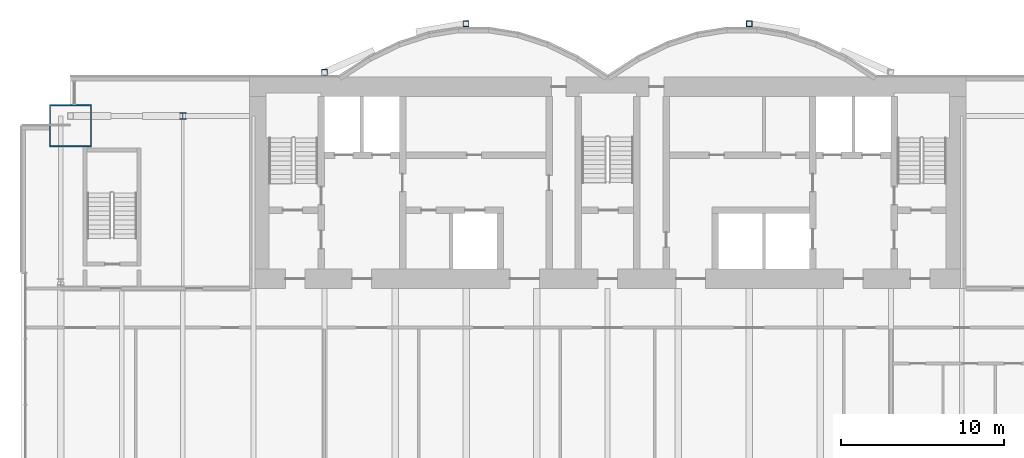
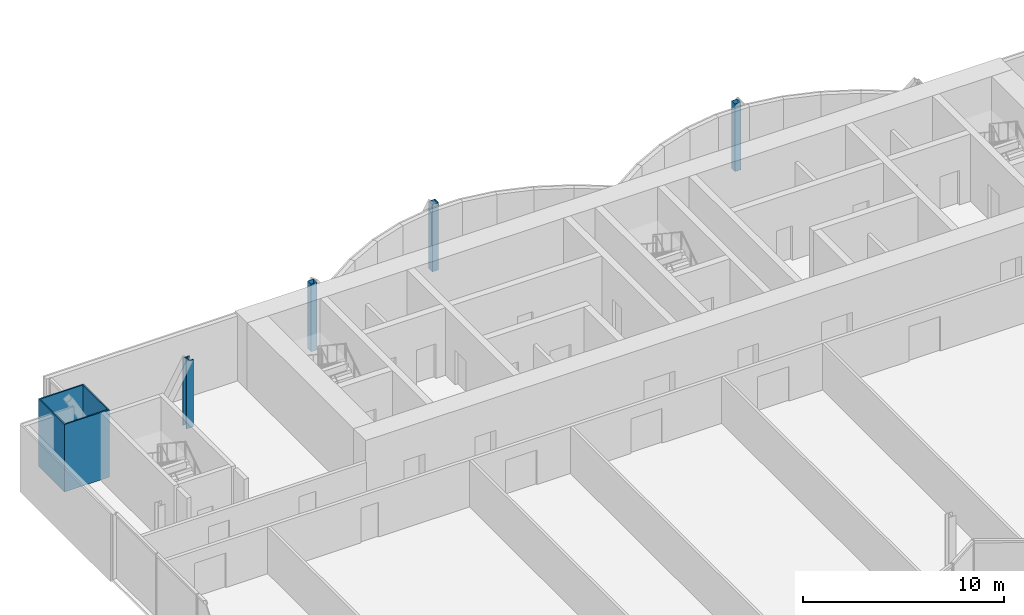
# One storey, part 3 of 22: 5 columns.
"""IFC4 building model written with IfcOpenShell, lengths in metres."""

from ifc_helpers import new_model, si_unit, direction, frame, origin, origin_2d, place, context, subcontext, project, spatial, hollow_rectangle, i_section, extrude, material, material_profile, profile_set, type_object, element, save


model = new_model("IFC4")

# Units and contexts
model_context = context("Model", 3, precision=1e-05, world=origin(), true_north=direction((0.0, 1.0)))
body_context = subcontext(model_context, "Body", "Model", "MODEL_VIEW")
ifc_project = project(units=[si_unit("LENGTHUNIT", "METRE"), si_unit("AREAUNIT", "SQUARE_METRE"), si_unit("VOLUMEUNIT", "CUBIC_METRE"), si_unit("PLANEANGLEUNIT", "RADIAN"), si_unit("MASSUNIT", "GRAM", prefix="KILO")], contexts=[model_context])

# Site, building, storey
site_placement = place(None, origin())
site = spatial("IfcSite", under=ifc_project, at=site_placement, CompositionType="ELEMENT")
building_placement = place(site_placement, origin())
building = spatial("IfcBuilding", under=site, at=building_placement, Name="Bicima Exchange Tower", CompositionType="ELEMENT")
storey_placement = place(building_placement, frame((0.0, 0.0, 148.60009765625)))
storey = spatial("IfcBuildingStorey", under=building, at=storey_placement, Name="L32", CompositionType="ELEMENT", Elevation=148.60009765625)

# Columns
ifc_material_1 = material(Name="Steel ASTM A572 Gr 50", Category="steel")
ifc_material_profile_1 = material_profile(ifc_material_1, hollow_rectangle(XDim=2.60009765625, YDim=2.60009765625, WallThickness=0.080078125, at=origin_2d()))
ifc_profile_set_1 = profile_set([ifc_material_profile_1], Name="Steel ASTM A572 Gr 50")
column_type_1 = type_object("IfcColumnType", Name="Mega column BOX 2600x2600x80", PredefinedType="COLUMN", material=ifc_profile_set_1)
column_1_placement = place(storey_placement, frame((-33.0, -3.0, 0.0), z_axis=(0.0, 0.0, 1.0), x_axis=(1.0, 0.0, 0.0)))
element("IfcColumn", 1, at=column_1_placement, inside=storey, type_object=column_type_1, Name="Mega column mega-33.0r", PredefinedType="COLUMN", context=body_context, shape_type="SweptSolid", body=[
    extrude(hollow_rectangle(XDim=2.60009765625, YDim=2.60009765625, WallThickness=0.080078125, at=origin_2d()), origin(), (0.0, 0.0, 1.0), 4.099853515625),
])
ifc_material_2 = material(Name="Steel ASTM A992 Gr 50", Category="steel")
ifc_material_profile_2 = material_profile(ifc_material_2, i_section(OverallWidth=0.396240234375, OverallDepth=0.381103515625, WebThickness=0.01904296875, FlangeThickness=0.0302734375, at=origin_2d()))
ifc_profile_set_2 = profile_set([ifc_material_profile_2], Name="Steel ASTM A992 Gr 50")
column_type_2 = type_object("IfcColumnType", Name="Perimeter column W14x159", PredefinedType="COLUMN", material=ifc_profile_set_2)
column_2_placement = place(storey_placement, frame((-26.10009765625, -2.39990234375, 0.0), z_axis=(0.0, 0.0, 1.0), x_axis=(1.0, 0.0, 0.0)))
element("IfcColumn", 2, at=column_2_placement, inside=storey, type_object=column_type_2, Name="Perimeter column grav-26.1r", PredefinedType="COLUMN", context=body_context, shape_type="SweptSolid", body=[
    extrude(i_section(OverallWidth=0.396240234375, OverallDepth=0.381103515625, WebThickness=0.01904296875, FlangeThickness=0.0302734375, at=origin_2d()), origin(), (0.0, 0.0, 1.0), 4.099853515625),
])
ifc_material_profile_3 = material_profile(ifc_material_1, hollow_rectangle(XDim=0.355712890625, YDim=0.355712890625, WallThickness=0.01171875, at=origin_2d()))
ifc_profile_set_3 = profile_set([ifc_material_profile_3], Name="Steel ASTM A572 Gr 50")
column_type_3 = type_object("IfcColumnType", Name="Rear pilaster HSS14x14x1/2", PredefinedType="COLUMN", material=ifc_profile_set_3)
for number, where, z_axis, x_axis, name in (
    (3, (-8.699951171875, 3.26904296875, 0.0), (0.0, 0.0, 1.0), (1.0, 0.0, 0.0), "Rear pilaster rexo-8.7r"),
    (4, (-17.39990234375, 0.278076171875, 0.0), (0.0, 0.0, 1.0), (1.0, 0.0, 0.0), "Rear pilaster rexo-17.4r"),
    (5, (8.699951171875, 3.26904296875, 0.0), (0.0, 0.0, 1.0), (1.0, 0.0, 0.0), "Rear pilaster rexo+8.7r"),
):
    element("IfcColumn", number, at=place(storey_placement, frame(where, z_axis=z_axis, x_axis=x_axis)), inside=storey, type_object=column_type_3, Name=name, PredefinedType="COLUMN", context=body_context, shape_type="SweptSolid", body=[
        extrude(hollow_rectangle(XDim=0.355712890625, YDim=0.355712890625, WallThickness=0.01171875, at=origin_2d()), origin(), (0.0, 0.0, 1.0), 4.099853515625),
    ])

save(model, "model.ifc")
